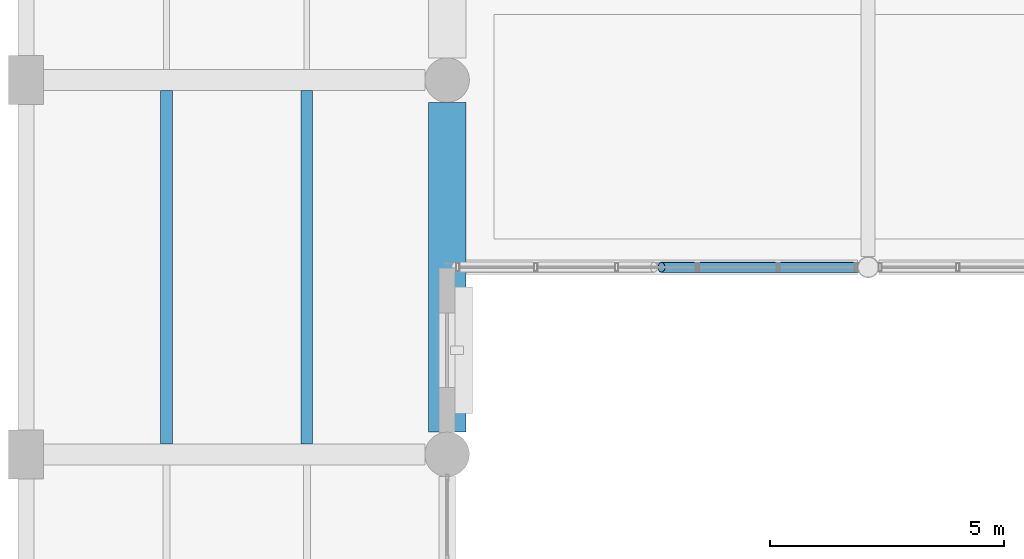
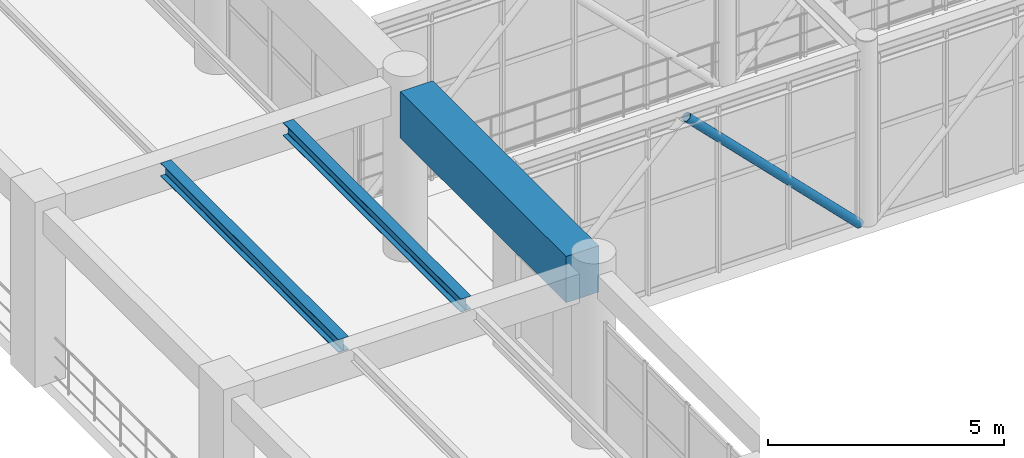
# One storey, part 55 of 178: 3 beams, 1 member.
"""IFC4 building model written with IfcOpenShell, lengths in metres."""

from ifc_helpers import new_model, si_unit, derived_unit, direction, frame, origin, origin_2d, place, context, subcontext, project, spatial, rectangle, hollow_circle, i_section, extrude, material, material_profile, profile_set, type_object, element, save


model = new_model("IFC4")

# Units and contexts
model_context = context("Model", 3, precision=1e-05, world=origin(), true_north=direction((0.0, 1.0)))
body_context = subcontext(model_context, "Body", "Model", "MODEL_VIEW")
ifc_project = project(units=[si_unit("LENGTHUNIT", "METRE"), si_unit("AREAUNIT", "SQUARE_METRE"), si_unit("VOLUMEUNIT", "CUBIC_METRE"), si_unit("PLANEANGLEUNIT", "RADIAN"), si_unit("MASSUNIT", "GRAM", prefix="KILO"), derived_unit("THERMALTRANSMITTANCEUNIT", [(si_unit("MASSUNIT", "GRAM", prefix="KILO"), 1), (si_unit("TIMEUNIT", "SECOND"), -3), (si_unit("THERMODYNAMICTEMPERATUREUNIT", "KELVIN"), -1)])], contexts=[model_context])

# Site, building, storey
site_placement = place(None, origin())
site = spatial("IfcSite", under=ifc_project, at=site_placement, CompositionType="ELEMENT")
building_placement = place(site_placement, origin())
building = spatial("IfcBuilding", under=site, at=building_placement, Name="Zhenchuan Archway Interchange", CompositionType="ELEMENT")
storey_placement = place(building_placement, frame((0.0, 0.0, 5.39990234375)))
storey = spatial("IfcBuildingStorey", under=building, at=storey_placement, Name="L01", CompositionType="ELEMENT", Elevation=5.39990234375)

# Beams
ifc_material_1 = material(Name="Concrete C50", Category="concrete")
ifc_material_profile_1 = material_profile(ifc_material_1, rectangle(XDim=0.800048828125, YDim=1.199951171875, at=origin_2d()), Name="RC 800x1200")
ifc_profile_set_1 = profile_set([ifc_material_profile_1], Name="Concrete C50")
beam_type_1 = type_object("IfcBeamType", Name="BM_RC_800x1200", PredefinedType="BEAM", material=ifc_profile_set_1)
beam_placement = place(storey_placement, frame((72.0, 48.47509765625, 3.91015625), z_axis=(0.0, 1.0, 0.0), x_axis=(-1.0, 0.0, 0.0)))
element("IfcBeam", 1, at=beam_placement, inside=storey, type_object=beam_type_1, Name="Beam 9:G-H (L01)", PredefinedType="BEAM", context=body_context, shape_type="SweptSolid", body=[
    extrude(rectangle(XDim=0.800048828125, YDim=1.199951171875, at=origin_2d()), origin(), (0.0, 0.0, 1.0), 7.0498046875),
])
ifc_material_2 = material(Name="Steel Q355", Category="steel")
ifc_material_profile_2 = material_profile(ifc_material_2, i_section(OverallWidth=0.25, OverallDepth=0.340087890625, WebThickness=0.009033203125, FlangeThickness=0.013916015625, FilletRadius=0.01806640625, at=origin_2d()), Name="HM 340x250")
ifc_profile_set_2 = profile_set([ifc_material_profile_2], Name="Steel Q355")
beam_type_2 = type_object("IfcBeamType", Name="JST_STL_HM340", PredefinedType="JOIST", material=ifc_profile_set_2)
for number, where, z_axis, x_axis, name in (
    (2, (66.0, 48.22509765625, 4.340087890625), (0.0, 1.0, 0.0), (-1.0, 0.0, 0.0), "Secondary joist 8-9/G-H #1 (L01)"),
    (3, (69.0, 48.22509765625, 4.340087890625), (0.0, 1.0, 0.0), (-1.0, 0.0, 0.0), "Secondary joist 8-9/G-H #2 (L01)"),
):
    element("IfcBeam", number, at=place(storey_placement, frame(where, z_axis=z_axis, x_axis=x_axis)), inside=storey, type_object=beam_type_2, Name=name, PredefinedType="JOIST", context=body_context, shape_type="SweptSolid", body=[
        extrude(i_section(OverallWidth=0.25, OverallDepth=0.340087890625, WebThickness=0.009033203125, FlangeThickness=0.013916015625, FilletRadius=0.01806640625, at=origin_2d()), origin(), (0.0, 0.0, 1.0), 7.5498046875),
    ])

# Member
ifc_material_profile_3 = material_profile(ifc_material_2, hollow_circle(Radius=0.109619140625, WallThickness=0.008056640625, at=origin_2d()), Name="CHS 219x8")
ifc_profile_set_3 = profile_set([ifc_material_profile_3], Name="Steel Q355")
member_type = type_object("IfcMemberType", Name="MB_CHS219", PredefinedType="BRACE", material=ifc_profile_set_3)
member_placement = place(storey_placement, frame((80.820068359375, 52.0, 0.0), z_axis=(-0.706272605819, 0.0, 0.707939973634), x_axis=(0.0, -1.0, 0.0)))
element("IfcMember", 4, at=member_placement, inside=storey, type_object=member_type, Name="Footbridge truss diagonal W-SR", PredefinedType="BRACE", context=body_context, shape_type="SweptSolid", body=[
    extrude(hollow_circle(Radius=0.109619140625, WallThickness=0.008056640625, at=origin_2d()), origin(), (0.0, 0.0, 1.0), 6.00341796875),
])

save(model, "model.ifc")
